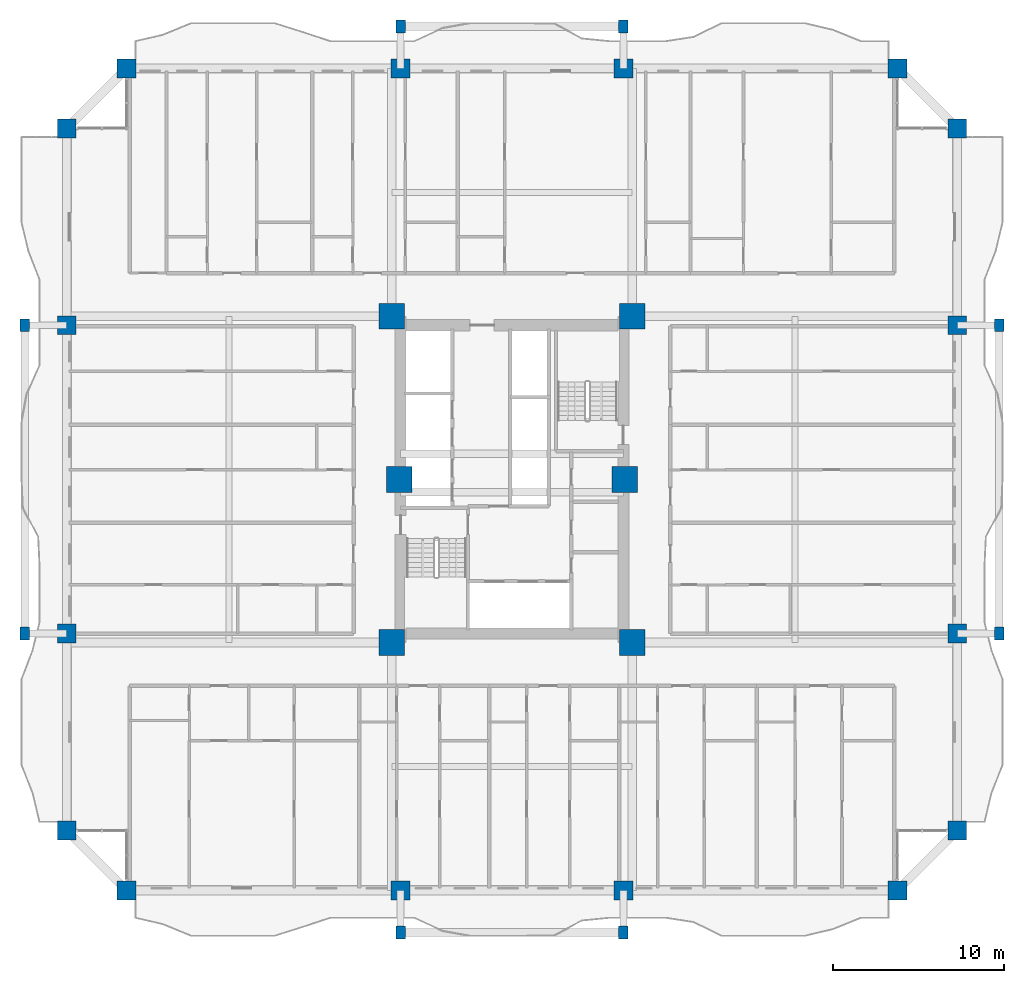
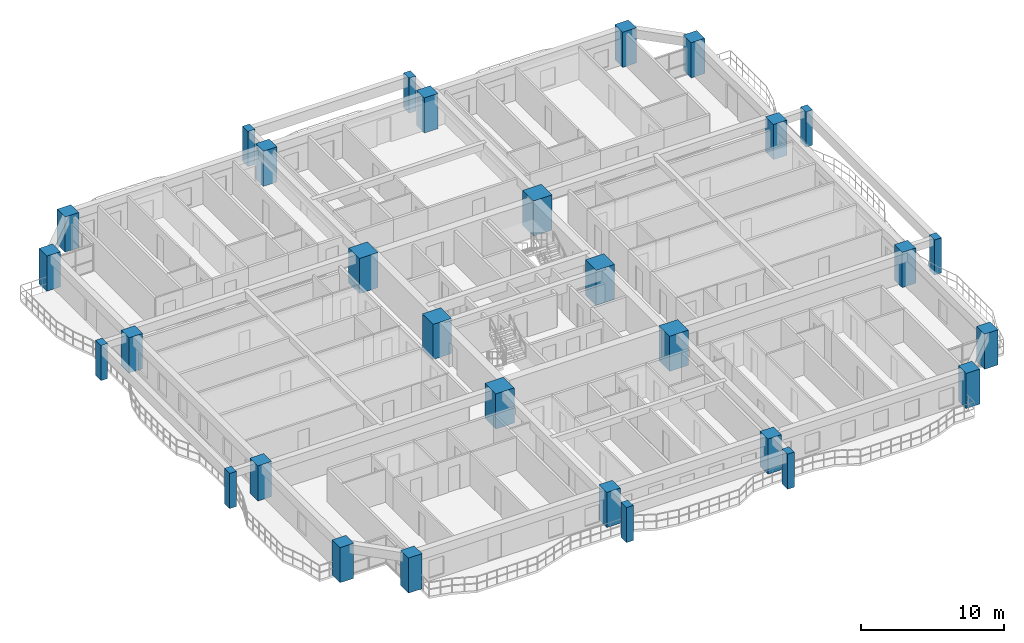
# One storey, part 1 of 28: 30 columns.
"""IFC4 building model written with IfcOpenShell, lengths in metres."""

from ifc_helpers import new_model, si_unit, direction, frame, origin, origin_2d, place, context, subcontext, project, spatial, rectangle, extrude, source, transform, mapped, material, material_profile, profile_set, type_object, element, save


model = new_model("IFC4")

# Units and contexts
model_context = context("Model", 3, precision=1e-05, world=origin(), true_north=direction((0.0, 1.0)))
body_context = subcontext(model_context, "Body", "Model", "MODEL_VIEW")
ifc_project = project(units=[si_unit("LENGTHUNIT", "METRE"), si_unit("AREAUNIT", "SQUARE_METRE"), si_unit("VOLUMEUNIT", "CUBIC_METRE"), si_unit("PLANEANGLEUNIT", "RADIAN"), si_unit("MASSUNIT", "GRAM", prefix="KILO")], contexts=[model_context])

# Site, building, storey
site_placement = place(None, origin())
site = spatial("IfcSite", under=ifc_project, at=site_placement, CompositionType="ELEMENT")
building_placement = place(site_placement, origin())
building = spatial("IfcBuilding", under=site, at=building_placement, Name="Saelheon Loggia Tower", CompositionType="ELEMENT")
storey_placement = place(building_placement, frame((0.0, 0.0, 61.39990234375)))
storey = spatial("IfcBuildingStorey", under=building, at=storey_placement, Name="L19", CompositionType="ELEMENT", Elevation=61.39990234375)

# Columns
ifc_material_1 = material(Name="Concrete C60/75", Category="concrete")
ifc_material_profile_1 = material_profile(ifc_material_1, rectangle(XDim=1.5, YDim=1.5, at=origin_2d()), Name="RC-1500x1500")
ifc_profile_set_1 = profile_set([ifc_material_profile_1], Name="Concrete C60/75")
column_type_1 = type_object("IfcColumnType", Name="Col_Core_RC1500", PredefinedType="COLUMN", material=ifc_profile_set_1)
shared_shape_1 = source(origin(), body_context, "Body", "SweptSolid", [
    extrude(rectangle(XDim=1.5, YDim=1.5, at=origin_2d()), origin(), (0.0, 0.0, 1.0), 3.0),
])
for number, where, z_axis, x_axis, name in (
    (1, (30.97998046875, 17.47998046875, 0.0), (0.0, 0.0, 1.0), (1.0, 0.0, 0.0), "L19 Core Column CR-SW"),
    (2, (45.02001953125, 17.47998046875, 0.0), (0.0, 0.0, 1.0), (1.0, 0.0, 0.0), "L19 Core Column CR-SE"),
    (3, (30.97998046875, 36.52001953125, 0.0), (0.0, 0.0, 1.0), (1.0, 0.0, 0.0), "L19 Core Column CR-NW"),
    (4, (45.02001953125, 36.52001953125, 0.0), (0.0, 0.0, 1.0), (1.0, 0.0, 0.0), "L19 Core Column CR-NE"),
    (5, (31.419921875, 27.0, 0.0), (0.0, 0.0, 1.0), (1.0, 0.0, 0.0), "L19 Core Column CR-MW"),
    (6, (44.580078125, 27.0, 0.0), (0.0, 0.0, 1.0), (1.0, 0.0, 0.0), "L19 Core Column CR-ME"),
):
    element("IfcColumn", number, at=place(storey_placement, frame(where, z_axis=z_axis, x_axis=x_axis)), inside=storey, type_object=column_type_1, Name=name, PredefinedType="COLUMN", context=body_context, shape_type="MappedRepresentation", body=[
        mapped(shared_shape_1, transform((0.0, 0.0, 0.0), scale=1.0)),
    ])
ifc_material_2 = material(Name="Concrete C50/60", Category="concrete")
ifc_material_profile_2 = material_profile(ifc_material_2, rectangle(XDim=1.10009765625, YDim=1.10009765625, at=origin_2d()), Name="RC-1100x1100")
ifc_profile_set_2 = profile_set([ifc_material_profile_2], Name="Concrete C50/60")
column_type_2 = type_object("IfcColumnType", Name="Col_PerimExt_RC1100", PredefinedType="COLUMN", material=ifc_profile_set_2)
shared_shape_2 = source(origin(), body_context, "Body", "SweptSolid", [
    extrude(rectangle(XDim=1.10009765625, YDim=1.10009765625, at=origin_2d()), origin(), (0.0, 0.0, 1.0), 3.0),
])
for number, where, z_axis, x_axis, name in (
    (7, (15.5, 3.0, 0.0), (0.0, 0.0, 1.0), (1.0, 0.0, 0.0), "L19 Perimeter Column TP-S1"),
    (8, (31.5, 3.0, 0.0), (0.0, 0.0, 1.0), (1.0, 0.0, 0.0), "L19 Perimeter Column TP-SA"),
    (9, (44.5, 3.0, 0.0), (0.0, 0.0, 1.0), (1.0, 0.0, 0.0), "L19 Perimeter Column TP-SB"),
    (10, (60.5, 3.0, 0.0), (0.0, 0.0, 1.0), (1.0, 0.0, 0.0), "L19 Perimeter Column TP-S2"),
    (11, (64.0, 6.5, 0.0), (0.0, 0.0, 1.0), (1.0, 0.0, 0.0), "L19 Perimeter Column TP-E1"),
    (12, (64.0, 18.0, 0.0), (0.0, 0.0, 1.0), (1.0, 0.0, 0.0), "L19 Perimeter Column TP-EA"),
    (13, (64.0, 36.0, 0.0), (0.0, 0.0, 1.0), (1.0, 0.0, 0.0), "L19 Perimeter Column TP-EB"),
    (14, (64.0, 47.5, 0.0), (0.0, 0.0, 1.0), (1.0, 0.0, 0.0), "L19 Perimeter Column TP-E2"),
    (15, (60.5, 51.0, 0.0), (0.0, 0.0, 1.0), (1.0, 0.0, 0.0), "L19 Perimeter Column TP-N2"),
    (16, (44.5, 51.0, 0.0), (0.0, 0.0, 1.0), (1.0, 0.0, 0.0), "L19 Perimeter Column TP-NB"),
    (17, (31.5, 51.0, 0.0), (0.0, 0.0, 1.0), (1.0, 0.0, 0.0), "L19 Perimeter Column TP-NA"),
    (18, (15.5, 51.0, 0.0), (0.0, 0.0, 1.0), (1.0, 0.0, 0.0), "L19 Perimeter Column TP-N1"),
    (19, (12.0, 47.5, 0.0), (0.0, 0.0, 1.0), (1.0, 0.0, 0.0), "L19 Perimeter Column TP-W2"),
    (20, (12.0, 36.0, 0.0), (0.0, 0.0, 1.0), (1.0, 0.0, 0.0), "L19 Perimeter Column TP-WB"),
    (21, (12.0, 18.0, 0.0), (0.0, 0.0, 1.0), (1.0, 0.0, 0.0), "L19 Perimeter Column TP-WA"),
    (22, (12.0, 6.5, 0.0), (0.0, 0.0, 1.0), (1.0, 0.0, 0.0), "L19 Perimeter Column TP-W1"),
):
    element("IfcColumn", number, at=place(storey_placement, frame(where, z_axis=z_axis, x_axis=x_axis)), inside=storey, type_object=column_type_2, Name=name, PredefinedType="COLUMN", context=body_context, shape_type="MappedRepresentation", body=[
        mapped(shared_shape_2, transform((0.0, 0.0, 0.0), scale=1.0)),
    ])
ifc_material_3 = material(Name="Precast Concrete C45/55", Category="concrete")
ifc_material_profile_3 = material_profile(ifc_material_3, rectangle(XDim=0.550048828125, YDim=0.75, at=origin_2d()), Name="RC-550x750")
ifc_profile_set_3 = profile_set([ifc_material_profile_3], Name="Precast Concrete C45/55")
column_type_3 = type_object("IfcColumnType", Name="Col_Loggia_Pilaster_750", PredefinedType="PILASTER", material=ifc_profile_set_3)
shared_shape_3 = source(origin(), body_context, "Body", "SweptSolid", [
    extrude(rectangle(XDim=0.550048828125, YDim=0.75, at=origin_2d()), origin(), (0.0, 0.0, 1.0), 3.0),
])
for number, where, z_axis, x_axis, name in (
    (23, (31.5, 0.550048828125, 0.0), (0.0, 0.0, 1.0), (1.0, 0.0, 0.0), "L19 Loggia Frame Pilaster LP-S1"),
    (24, (44.5, 0.550048828125, 0.0), (0.0, 0.0, 1.0), (1.0, 0.0, 0.0), "L19 Loggia Frame Pilaster LP-S2"),
    (25, (31.5, 53.449951171875, 0.0), (0.0, 0.0, 1.0), (1.0, 0.0, 0.0), "L19 Loggia Frame Pilaster LP-N1"),
    (26, (44.5, 53.449951171875, 0.0), (0.0, 0.0, 1.0), (1.0, 0.0, 0.0), "L19 Loggia Frame Pilaster LP-N2"),
    (27, (66.449951171875, 18.0, 0.0), (0.0, 0.0, 1.0), (1.0, 0.0, 0.0), "L19 Loggia Frame Pilaster LP-E1"),
    (28, (66.449951171875, 36.0, 0.0), (0.0, 0.0, 1.0), (1.0, 0.0, 0.0), "L19 Loggia Frame Pilaster LP-E2"),
    (29, (9.550048828125, 18.0, 0.0), (0.0, 0.0, 1.0), (1.0, 0.0, 0.0), "L19 Loggia Frame Pilaster LP-W1"),
    (30, (9.550048828125, 36.0, 0.0), (0.0, 0.0, 1.0), (1.0, 0.0, 0.0), "L19 Loggia Frame Pilaster LP-W2"),
):
    element("IfcColumn", number, at=place(storey_placement, frame(where, z_axis=z_axis, x_axis=x_axis)), inside=storey, type_object=column_type_3, Name=name, PredefinedType="PILASTER", context=body_context, shape_type="MappedRepresentation", body=[
        mapped(shared_shape_3, transform((0.0, 0.0, 0.0), scale=1.0)),
    ])

save(model, "model.ifc")
